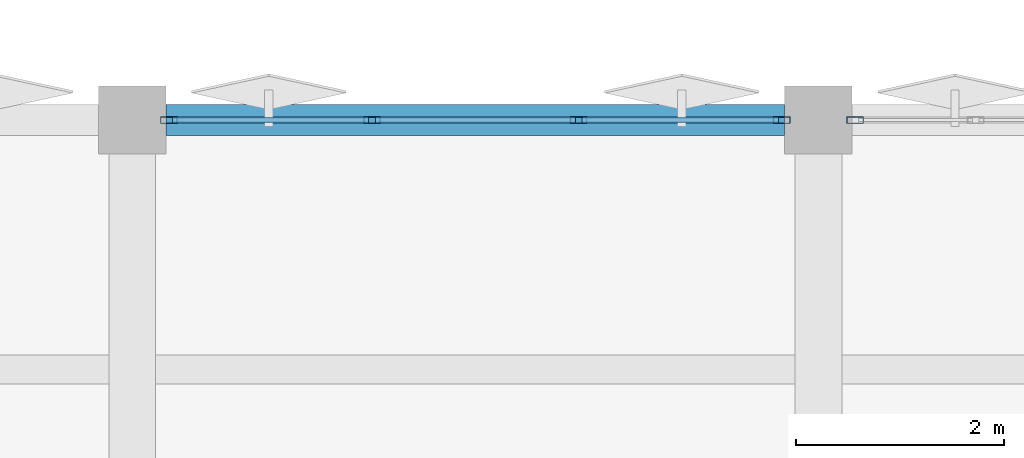
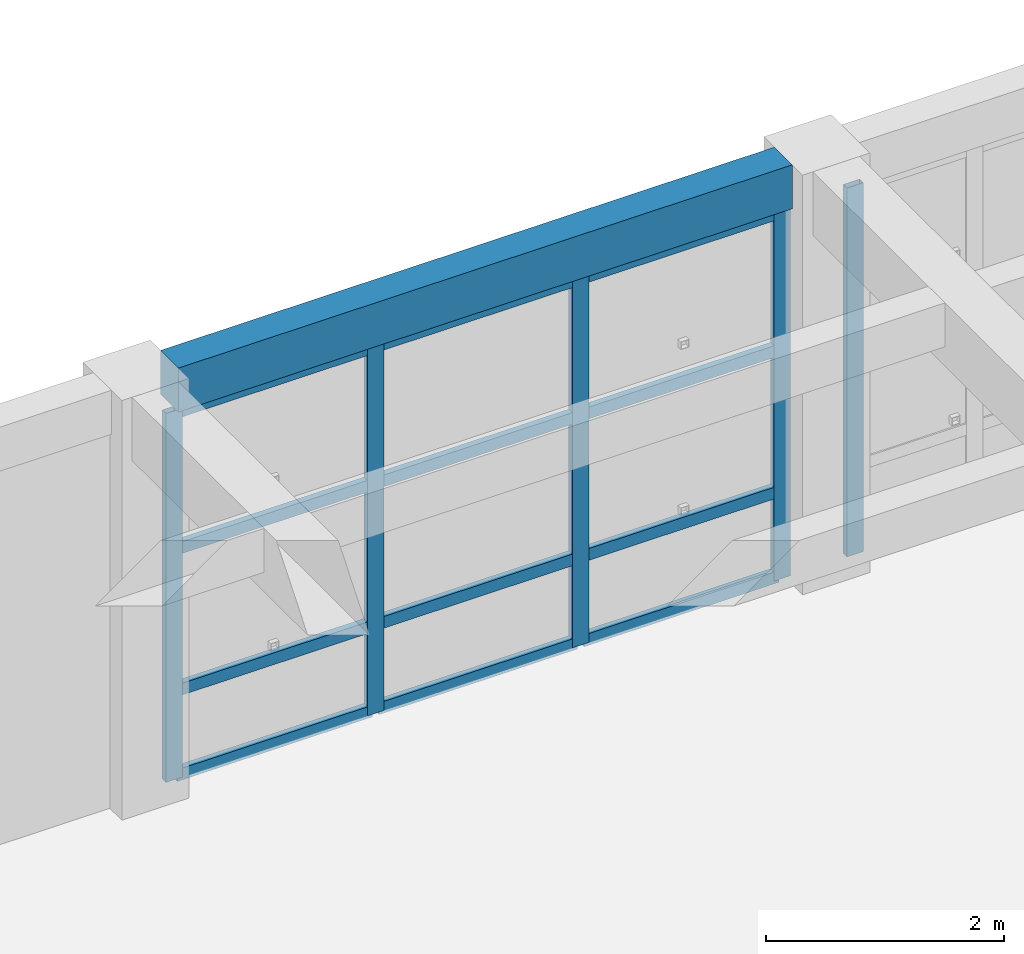
# One storey, part 33 of 67: 17 members, 1 beam, 2 elements without a shape of their own.
"""IFC4 building model written with IfcOpenShell, lengths in metres."""

from ifc_helpers import new_model, si_unit, direction, frame, origin, origin_2d, place, context, subcontext, project, spatial, rectangle, hollow_rectangle, extrude, material, layer, layer_set, material_profile, profile_set, type_object, element, aggregate, save


model = new_model("IFC4")

# Units and contexts
model_context = context("Model", 3, precision=1e-05, world=origin(), true_north=direction((0.0, 1.0)))
body_context = subcontext(model_context, "Body", "Model", "MODEL_VIEW")
ifc_project = project(units=[si_unit("LENGTHUNIT", "METRE"), si_unit("AREAUNIT", "SQUARE_METRE"), si_unit("VOLUMEUNIT", "CUBIC_METRE"), si_unit("PLANEANGLEUNIT", "RADIAN"), si_unit("MASSUNIT", "GRAM", prefix="KILO")], contexts=[model_context])

# Site, building, storey
site_placement = place(None, origin())
site = spatial("IfcSite", under=ifc_project, at=site_placement, CompositionType="ELEMENT")
building_placement = place(site_placement, origin())
building = spatial("IfcBuilding", under=site, at=building_placement, Name="Kharisveld Research Institute", CompositionType="ELEMENT")
storey_placement = place(building_placement, frame((0.0, 0.0, 9.60009765625)))
storey = spatial("IfcBuildingStorey", under=building, at=storey_placement, Name="L02", CompositionType="ELEMENT", Elevation=9.60009765625)

# Curtain wall, members
ifc_material_1 = material(Name="Thermally Broken Aluminium Curtain Wall", Category="aluminium")
ifc_layer_1 = layer(ifc_material_1, 0.159912109375)
ifc_layer_set_1 = layer_set([ifc_layer_1], Name="CW_SYS_06")
curtain_wall_type_1 = type_object("IfcCurtainWallType", Name="CW_SYS_06", PredefinedType="NOTDEFINED", material=ifc_layer_set_1)
curtain_wall_1_placement = place(storey_placement, origin())
curtain_wall_1 = element("IfcCurtainWall", 1, at=curtain_wall_1_placement, inside=storey, type_object=curtain_wall_type_1, Name="CW:V2:L02:N1", PredefinedType="NOTDEFINED")
ifc_material_2 = material(Name="Anodised Aluminium AW-6063-T6", Category="aluminium")
ifc_material_profile_1 = material_profile(ifc_material_2, hollow_rectangle(XDim=0.06494140625, YDim=0.159912109375, WallThickness=0.00390625, at=origin_2d()))
ifc_profile_set_1 = profile_set([ifc_material_profile_1], Name="Anodised Aluminium AW-6063-T6")
member_type_1 = type_object("IfcMemberType", Name="CW_MUL_160", PredefinedType="MULLION", material=ifc_profile_set_1)
member_1_placement = place(storey_placement, frame((121.552490234375, 60.800048828125, 0.0), z_axis=(0.0, 0.0, 1.0), x_axis=(0.0, 1.0, 0.0)))
member_1 = element("IfcMember", 2, at=member_1_placement, type_object=member_type_1, Name="CW-06 mullion 1", PredefinedType="MULLION", context=body_context, shape_type="SweptSolid", body=[
    extrude(hollow_rectangle(XDim=0.06494140625, YDim=0.159912109375, WallThickness=0.00390625, at=origin_2d()), origin(), (0.0, 0.0, 1.0), 3.77978515625),
])
member_2_placement = place(storey_placement, frame((123.506591796875, 60.800048828125, 0.0), z_axis=(0.0, 0.0, 1.0), x_axis=(0.0, 1.0, 0.0)))
member_2 = element("IfcMember", 3, at=member_2_placement, type_object=member_type_1, Name="CW-06 mullion 2", PredefinedType="MULLION", context=body_context, shape_type="SweptSolid", body=[
    extrude(hollow_rectangle(XDim=0.06494140625, YDim=0.159912109375, WallThickness=0.00390625, at=origin_2d()), origin(), (0.0, 0.0, 1.0), 3.77978515625),
])
member_3_placement = place(storey_placement, frame((125.493408203125, 60.800048828125, 0.0), z_axis=(0.0, 0.0, 1.0), x_axis=(0.0, 1.0, 0.0)))
member_3 = element("IfcMember", 4, at=member_3_placement, type_object=member_type_1, Name="CW-06 mullion 3", PredefinedType="MULLION", context=body_context, shape_type="SweptSolid", body=[
    extrude(hollow_rectangle(XDim=0.06494140625, YDim=0.159912109375, WallThickness=0.00390625, at=origin_2d()), origin(), (0.0, 0.0, 1.0), 3.77978515625),
])
member_4_placement = place(storey_placement, frame((127.447509765625, 60.800048828125, 0.0), z_axis=(0.0, 0.0, 1.0), x_axis=(0.0, 1.0, 0.0)))
member_4 = element("IfcMember", 5, at=member_4_placement, type_object=member_type_1, Name="CW-06 mullion 4", PredefinedType="MULLION", context=body_context, shape_type="SweptSolid", body=[
    extrude(hollow_rectangle(XDim=0.06494140625, YDim=0.159912109375, WallThickness=0.00390625, at=origin_2d()), origin(), (0.0, 0.0, 1.0), 3.77978515625),
])

# Curtain wall, member
ifc_material_3 = material(Name="Thermally Broken Aluminium Curtain Wall", Category="aluminium")
ifc_layer_2 = layer(ifc_material_3, 0.159912109375)
ifc_layer_set_2 = layer_set([ifc_layer_2], Name="CW_SYS_01")
curtain_wall_type_2 = type_object("IfcCurtainWallType", Name="CW_SYS_01", PredefinedType="NOTDEFINED", material=ifc_layer_set_2)
curtain_wall_2_placement = place(storey_placement, origin())
curtain_wall_2 = element("IfcCurtainWall", 6, at=curtain_wall_2_placement, inside=storey, type_object=curtain_wall_type_2, Name="CW:V2:L02:N2", PredefinedType="NOTDEFINED")
member_5_placement = place(storey_placement, frame((128.152587890625, 60.800048828125, 0.0), z_axis=(0.0, 0.0, 1.0), x_axis=(0.0, 1.0, 0.0)))
member_5 = element("IfcMember", 7, at=member_5_placement, type_object=member_type_1, Name="CW-01 mullion 1", PredefinedType="MULLION", context=body_context, shape_type="SweptSolid", body=[
    extrude(hollow_rectangle(XDim=0.06494140625, YDim=0.159912109375, WallThickness=0.00390625, at=origin_2d()), origin(), (0.0, 0.0, 1.0), 3.77978515625),
])
aggregate(curtain_wall_2, [member_5])

# Member
ifc_material_4 = material(Name="Anodised Aluminium AW-6063-T6", Category="aluminium")
ifc_material_profile_2 = material_profile(ifc_material_4, hollow_rectangle(XDim=0.06005859375, YDim=0.1201171875, WallThickness=0.00390625, at=origin_2d()))
ifc_profile_set_2 = profile_set([ifc_material_profile_2], Name="Anodised Aluminium AW-6063-T6")
member_type_2 = type_object("IfcMemberType", Name="CW_TRN_120", PredefinedType="USERDEFINED", material=ifc_profile_set_2)
member_6_placement = place(storey_placement, frame((121.5849609375, 60.800048828125, 0.02978515625), z_axis=(1.0, 0.0, 0.0), x_axis=(0.0, 1.0, 0.0)))
member_6 = element("IfcMember", 8, at=member_6_placement, type_object=member_type_2, Name="CW-06 transom 1.1", ObjectType="TRANSOM", PredefinedType="USERDEFINED", context=body_context, shape_type="SweptSolid", body=[
    extrude(hollow_rectangle(XDim=0.06005859375, YDim=0.1201171875, WallThickness=0.00390625, at=origin_2d()), origin(), (0.0, 0.0, 1.0), 1.88916015625),
])

member_7_placement = place(storey_placement, frame((121.5849609375, 60.800048828125, 0.89990234375), z_axis=(1.0, 0.0, 0.0), x_axis=(0.0, 1.0, 0.0)))
member_7 = element("IfcMember", 9, at=member_7_placement, type_object=member_type_2, Name="CW-06 transom 1.2", ObjectType="TRANSOM", PredefinedType="USERDEFINED", context=body_context, shape_type="SweptSolid", body=[
    extrude(hollow_rectangle(XDim=0.06005859375, YDim=0.1201171875, WallThickness=0.00390625, at=origin_2d()), origin(), (0.0, 0.0, 1.0), 1.88916015625),
])

member_8_placement = place(storey_placement, frame((121.5849609375, 60.800048828125, 2.349853515625), z_axis=(1.0, 0.0, 0.0), x_axis=(0.0, 1.0, 0.0)))
member_8 = element("IfcMember", 10, at=member_8_placement, type_object=member_type_2, Name="CW-06 transom 1.3", ObjectType="TRANSOM", PredefinedType="USERDEFINED", context=body_context, shape_type="SweptSolid", body=[
    extrude(hollow_rectangle(XDim=0.06005859375, YDim=0.1201171875, WallThickness=0.00390625, at=origin_2d()), origin(), (0.0, 0.0, 1.0), 1.88916015625),
])

member_9_placement = place(storey_placement, frame((121.5849609375, 60.800048828125, 3.75), z_axis=(1.0, 0.0, 0.0), x_axis=(0.0, 1.0, 0.0)))
member_9 = element("IfcMember", 11, at=member_9_placement, type_object=member_type_2, Name="CW-06 transom 1.4", ObjectType="TRANSOM", PredefinedType="USERDEFINED", context=body_context, shape_type="SweptSolid", body=[
    extrude(hollow_rectangle(XDim=0.06005859375, YDim=0.1201171875, WallThickness=0.00390625, at=origin_2d()), origin(), (0.0, 0.0, 1.0), 1.88916015625),
])

member_10_placement = place(storey_placement, frame((123.5390625, 60.800048828125, 0.02978515625), z_axis=(1.0, 0.0, 0.0), x_axis=(0.0, 1.0, 0.0)))
member_10 = element("IfcMember", 12, at=member_10_placement, type_object=member_type_2, Name="CW-06 transom 2.1", ObjectType="TRANSOM", PredefinedType="USERDEFINED", context=body_context, shape_type="SweptSolid", body=[
    extrude(hollow_rectangle(XDim=0.06005859375, YDim=0.1201171875, WallThickness=0.00390625, at=origin_2d()), origin(), (0.0, 0.0, 1.0), 1.921875),
])

member_11_placement = place(storey_placement, frame((123.5390625, 60.800048828125, 0.89990234375), z_axis=(1.0, 0.0, 0.0), x_axis=(0.0, 1.0, 0.0)))
member_11 = element("IfcMember", 13, at=member_11_placement, type_object=member_type_2, Name="CW-06 transom 2.2", ObjectType="TRANSOM", PredefinedType="USERDEFINED", context=body_context, shape_type="SweptSolid", body=[
    extrude(hollow_rectangle(XDim=0.06005859375, YDim=0.1201171875, WallThickness=0.00390625, at=origin_2d()), origin(), (0.0, 0.0, 1.0), 1.921875),
])

member_12_placement = place(storey_placement, frame((123.5390625, 60.800048828125, 2.349853515625), z_axis=(1.0, 0.0, 0.0), x_axis=(0.0, 1.0, 0.0)))
member_12 = element("IfcMember", 14, at=member_12_placement, type_object=member_type_2, Name="CW-06 transom 2.3", ObjectType="TRANSOM", PredefinedType="USERDEFINED", context=body_context, shape_type="SweptSolid", body=[
    extrude(hollow_rectangle(XDim=0.06005859375, YDim=0.1201171875, WallThickness=0.00390625, at=origin_2d()), origin(), (0.0, 0.0, 1.0), 1.921875),
])

member_13_placement = place(storey_placement, frame((123.5390625, 60.800048828125, 3.75), z_axis=(1.0, 0.0, 0.0), x_axis=(0.0, 1.0, 0.0)))
member_13 = element("IfcMember", 15, at=member_13_placement, type_object=member_type_2, Name="CW-06 transom 2.4", ObjectType="TRANSOM", PredefinedType="USERDEFINED", context=body_context, shape_type="SweptSolid", body=[
    extrude(hollow_rectangle(XDim=0.06005859375, YDim=0.1201171875, WallThickness=0.00390625, at=origin_2d()), origin(), (0.0, 0.0, 1.0), 1.921875),
])

member_14_placement = place(storey_placement, frame((125.52587890625, 60.800048828125, 0.02978515625), z_axis=(1.0, 0.0, 0.0), x_axis=(0.0, 1.0, 0.0)))
member_14 = element("IfcMember", 16, at=member_14_placement, type_object=member_type_2, Name="CW-06 transom 3.1", ObjectType="TRANSOM", PredefinedType="USERDEFINED", context=body_context, shape_type="SweptSolid", body=[
    extrude(hollow_rectangle(XDim=0.06005859375, YDim=0.1201171875, WallThickness=0.00390625, at=origin_2d()), origin(), (0.0, 0.0, 1.0), 1.88916015625),
])

member_15_placement = place(storey_placement, frame((125.52587890625, 60.800048828125, 0.89990234375), z_axis=(1.0, 0.0, 0.0), x_axis=(0.0, 1.0, 0.0)))
member_15 = element("IfcMember", 17, at=member_15_placement, type_object=member_type_2, Name="CW-06 transom 3.2", ObjectType="TRANSOM", PredefinedType="USERDEFINED", context=body_context, shape_type="SweptSolid", body=[
    extrude(hollow_rectangle(XDim=0.06005859375, YDim=0.1201171875, WallThickness=0.00390625, at=origin_2d()), origin(), (0.0, 0.0, 1.0), 1.88916015625),
])

member_16_placement = place(storey_placement, frame((125.52587890625, 60.800048828125, 2.349853515625), z_axis=(1.0, 0.0, 0.0), x_axis=(0.0, 1.0, 0.0)))
member_16 = element("IfcMember", 18, at=member_16_placement, type_object=member_type_2, Name="CW-06 transom 3.3", ObjectType="TRANSOM", PredefinedType="USERDEFINED", context=body_context, shape_type="SweptSolid", body=[
    extrude(hollow_rectangle(XDim=0.06005859375, YDim=0.1201171875, WallThickness=0.00390625, at=origin_2d()), origin(), (0.0, 0.0, 1.0), 1.88916015625),
])

member_17_placement = place(storey_placement, frame((125.52587890625, 60.800048828125, 3.75), z_axis=(1.0, 0.0, 0.0), x_axis=(0.0, 1.0, 0.0)))
member_17 = element("IfcMember", 19, at=member_17_placement, type_object=member_type_2, Name="CW-06 transom 3.4", ObjectType="TRANSOM", PredefinedType="USERDEFINED", context=body_context, shape_type="SweptSolid", body=[
    extrude(hollow_rectangle(XDim=0.06005859375, YDim=0.1201171875, WallThickness=0.00390625, at=origin_2d()), origin(), (0.0, 0.0, 1.0), 1.88916015625),
])

aggregate(curtain_wall_1, [member_1, member_2, member_3, member_4, member_6, member_7, member_8, member_9, member_10, member_11, member_12, member_13, member_14, member_15, member_16, member_17])

# Beam
ifc_material_5 = material(Name="Concrete C40/50", Category="concrete")
ifc_material_profile_3 = material_profile(ifc_material_5, rectangle(XDim=0.300048828125, YDim=0.449951171875, at=origin_2d()))
ifc_profile_set_3 = profile_set([ifc_material_profile_3], Name="Concrete C40/50")
beam_type = type_object("IfcBeamType", Name="SP_RC_300x450", PredefinedType="SPANDREL", material=ifc_profile_set_3)
beam_placement = place(storey_placement, frame((121.52490234375, 60.800048828125, 4.074951171875), z_axis=(1.0, 0.0, 0.0), x_axis=(0.0, 1.0, 0.0)))
element("IfcBeam", 20, at=beam_placement, inside=storey, type_object=beam_type, Name="BM:V2:L02:U1_3", PredefinedType="SPANDREL", context=body_context, shape_type="SweptSolid", body=[
    extrude(rectangle(XDim=0.300048828125, YDim=0.449951171875, at=origin_2d()), origin(), (0.0, 0.0, 1.0), 5.9501953125),
])

save(model, "model.ifc")
